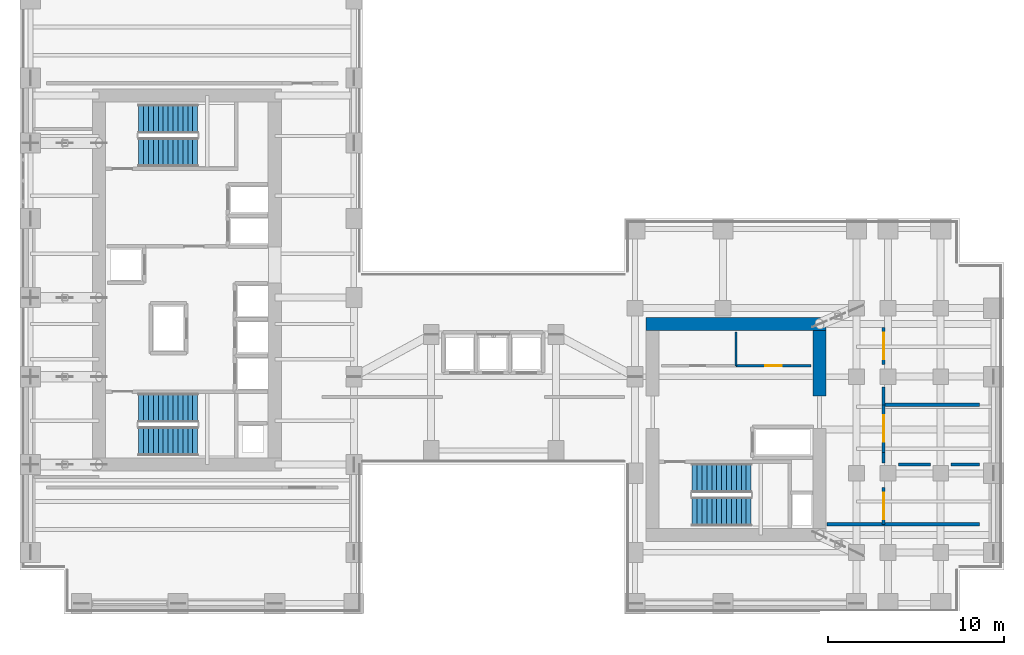
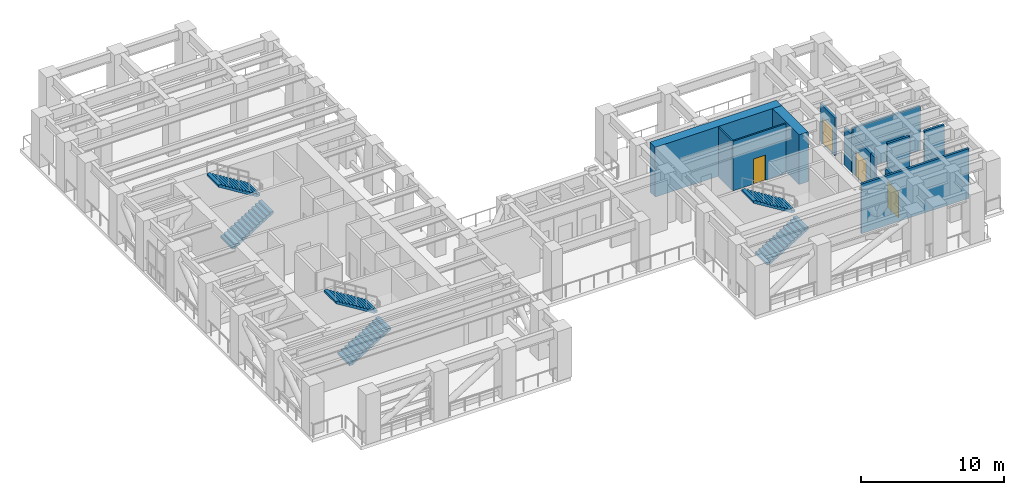
# One storey, part 11 of 16: 13 walls, 6 stair flights, 4 doors, 4 openings, 3 elements without a shape of their own.
"""IFC4 building model written with IfcOpenShell, lengths in metres."""

import ifcopenshell
import ifcopenshell.guid

model = None  # the IFC model being written
_history = None  # IfcOwnerHistory: only IFC2X3 demands one
_inside = {}  # id of a spatial element -> (the spatial element, [elements in it])
_under = {}  # id of a project, library or spatial element -> (it, [spatial elements below it])
_declared = {}  # id of a project -> (the project, [libraries it declares])
_typed = {}  # id of a type object -> (the type object, [elements of that type])
_made_of = {}  # id of a material, layer set ... -> (it, [elements and type objects made of it])


def new_model(schema):
    """Start an empty IFC model of exactly this schema.

    Asked for "IFC4X3", IfcOpenShell would pick the latest addendum, in which some entities
    have other attributes; the version numbers below select the first issue.
    IFC2X3 requires an IfcOwnerHistory on every rooted entity: one is made here for all.
    """
    global model, _history
    if schema == "IFC4X3":
        model = ifcopenshell.file(schema_version=(4, 3, 0, 0))
    else:
        model = ifcopenshell.file(schema=schema)
    _inside.clear()
    _under.clear()
    _declared.clear()
    _typed.clear()
    _made_of.clear()
    _history = None
    if model.schema == "IFC2X3":
        org = make("IfcOrganization", Name="unknown")
        user = make(
            "IfcPersonAndOrganization",
            ThePerson=make("IfcPerson", FamilyName="unknown"),
            TheOrganization=org,
        )
        app = make(
            "IfcApplication",
            ApplicationDeveloper=org,
            Version="unknown",
            ApplicationFullName="unknown",
            ApplicationIdentifier="unknown",
        )
        _history = make(
            "IfcOwnerHistory",
            OwningUser=user,
            OwningApplication=app,
            ChangeAction="ADDED",
            CreationDate=0,
        )
    return model


def make(cls, **values):
    """One entity of the class cls with the attributes given. An attribute that is None is left unset."""
    return model.create_entity(
        cls, **{name: value for name, value in values.items() if value is not None}
    )


def rooted(cls, **values):
    """An entity with a GlobalId (a new one), such as an element, a storey or a relation."""
    return make(cls, GlobalId=ifcopenshell.guid.new(), OwnerHistory=_history, **values)


def si_unit(unit_type, name, prefix=None):
    """IfcSIUnit, for example si_unit("LENGTHUNIT", "METRE", prefix="MILLI")."""
    return make("IfcSIUnit", UnitType=unit_type, Prefix=prefix, Name=name)


def assignment(units):
    """IfcUnitAssignment: the units of a project."""
    return None if units is None else make("IfcUnitAssignment", Units=units)


def point(xyz):
    """IfcCartesianPoint."""
    return None if xyz is None else make("IfcCartesianPoint", Coordinates=xyz)


def direction(xyz):
    """IfcDirection."""
    return None if xyz is None else make("IfcDirection", DirectionRatios=xyz)


def frame(location, z_axis=None, x_axis=None):
    """IfcAxis2Placement3D, a coordinate frame: its origin and axes. An axis left out is left unset."""
    return make(
        "IfcAxis2Placement3D",
        Location=point(location),
        Axis=direction(z_axis),
        RefDirection=direction(x_axis),
    )


def frame_2d(location, x_axis=None):
    """IfcAxis2Placement2D, a coordinate frame in the plane: its origin and x axis."""
    return make(
        "IfcAxis2Placement2D", Location=point(location), RefDirection=direction(x_axis)
    )


def origin():
    """The frame at (0, 0, 0) with its axes left unset."""
    return frame((0.0, 0.0, 0.0))


def place(relative_to, where):
    """IfcLocalPlacement: puts the frame where relative to a parent placement (None: the world)."""
    return make(
        "IfcLocalPlacement", PlacementRelTo=relative_to, RelativePlacement=where
    )


def context(
    kind, dimensions, precision=None, world=None, true_north=None, identifier=None
):
    """IfcGeometricRepresentationContext, for example the 3D "Model" context."""
    return make(
        "IfcGeometricRepresentationContext",
        ContextIdentifier=identifier,
        ContextType=kind,
        CoordinateSpaceDimension=dimensions,
        Precision=precision,
        WorldCoordinateSystem=world,
        TrueNorth=true_north,
    )


def subcontext(parent, identifier, kind, view, scale=None):
    """IfcGeometricRepresentationSubContext, for example "Body" below "Model"."""
    return make(
        "IfcGeometricRepresentationSubContext",
        ContextIdentifier=identifier,
        ContextType=kind,
        ParentContext=parent,
        TargetScale=scale,
        TargetView=view,
    )


def project(units=None, contexts=None):
    """IfcProject with its units and contexts."""
    return rooted(
        "IfcProject",
        Name="project",
        RepresentationContexts=contexts,
        UnitsInContext=assignment(units),
    )


def spatial(cls, under=None, at=None, **own):
    """A site, building, storey or space (cls), placed at a placement, below another one or the project."""
    s = rooted(cls, ObjectPlacement=at, **own)
    if under is not None:
        _under.setdefault(under.id(), (under, []))[1].append(s)
    return s


def polyline(points):
    """IfcPolyline through the points."""
    return make("IfcPolyline", Points=[point(p) for p in points])


def profile(cls, at=None, kind="AREA", **sizes):
    """A parametric profile (cls). Its sizes go by their IFC names, for example OverallWidth=200.0."""
    return make(cls, ProfileType=kind, Position=at, **sizes)


def rectangle(**sizes):
    """IfcRectangleProfileDef."""
    return profile("IfcRectangleProfileDef", **sizes)


def outline(outer, holes=None, kind="AREA"):
    """IfcArbitraryClosedProfileDef: a profile drawn as a closed curve; with holes, ...WithVoids."""
    if holes is None:
        return make("IfcArbitraryClosedProfileDef", ProfileType=kind, OuterCurve=outer)
    return make(
        "IfcArbitraryProfileDefWithVoids",
        ProfileType=kind,
        OuterCurve=outer,
        InnerCurves=holes,
    )


def extrude(swept, where, along, depth):
    """IfcExtrudedAreaSolid: the profile swept, set in the frame where, extruded along a direction by depth."""
    return make(
        "IfcExtrudedAreaSolid",
        SweptArea=swept,
        Position=where,
        ExtrudedDirection=direction(along),
        Depth=depth,
    )


def shape(context_of_items, identifier, shape_type, items):
    """IfcShapeRepresentation: the items that make up one representation, for example the "Body"."""
    return make(
        "IfcShapeRepresentation",
        ContextOfItems=context_of_items,
        RepresentationIdentifier=identifier,
        RepresentationType=shape_type,
        Items=items,
    )


def source(mapping_origin, context_of_items, identifier, shape_type, items):
    """IfcRepresentationMap: a shape defined once, which mapped items show again and again."""
    return make(
        "IfcRepresentationMap",
        MappingOrigin=mapping_origin,
        MappedRepresentation=shape(context_of_items, identifier, shape_type, items),
    )


def transform(
    local_origin,
    x_axis=None,
    y_axis=None,
    z_axis=None,
    scale=None,
    scale2=None,
    scale3=None,
    uniform=True,
):
    """IfcCartesianTransformationOperator3D, or its non-uniform kind. x_axis, y_axis, z_axis: its Axis1, 2, 3."""
    if uniform:
        return make(
            "IfcCartesianTransformationOperator3D",
            Axis1=direction(x_axis),
            Axis2=direction(y_axis),
            LocalOrigin=point(local_origin),
            Scale=scale,
            Axis3=direction(z_axis),
        )
    return make(
        "IfcCartesianTransformationOperator3DnonUniform",
        Axis1=direction(x_axis),
        Axis2=direction(y_axis),
        LocalOrigin=point(local_origin),
        Scale=scale,
        Axis3=direction(z_axis),
        Scale2=scale2,
        Scale3=scale3,
    )


def mapped(mapping_source, mapping_target):
    """IfcMappedItem: shows the shape of a source again, moved by a transform."""
    return make(
        "IfcMappedItem", MappingSource=mapping_source, MappingTarget=mapping_target
    )


def material(Name=None, Category=None):
    """IfcMaterial."""
    return make("IfcMaterial", Name=Name, Category=Category)


def layer(
    of_material, thickness, ventilated=None, Name=None, Category=None, Priority=None
):
    """IfcMaterialLayer: one layer of a wall or slab, of a material (None: an air gap)."""
    return make(
        "IfcMaterialLayer",
        Material=of_material,
        LayerThickness=thickness,
        IsVentilated=ventilated,
        Name=Name,
        Category=Category,
        Priority=Priority,
    )


def layer_set(layers, Name=None):
    """IfcMaterialLayerSet."""
    return make("IfcMaterialLayerSet", MaterialLayers=layers, LayerSetName=Name)


def made_of(thing, what):
    """Note that an element or type object is made of a material, layer set ...; save() writes the relation."""
    if what is not None:
        _made_of.setdefault(what.id(), (what, []))[1].append(thing)
    return thing


def type_object(cls, material=None, **own):
    """A type object (cls), such as IfcWallType, which elements share."""
    return made_of(rooted(cls, **own), material)


def element(
    cls,
    number,
    at=None,
    inside=None,
    cuts=None,
    type_object=None,
    material=None,
    context=None,
    identifier="Body",
    shape_type=None,
    held_by="IfcProductDefinitionShape",
    body=None,
    shapes=None,
    **own,
):
    """One element of the class cls, such as IfcWall. Its Tag is "e" and its number.

    at: its placement. inside: the storey or other place that contains it. cuts: it is an
    opening in that element (IfcRelVoidsElement). A single representation is given by context,
    identifier, shape_type and body (its items); several are given by shapes. held_by: the class
    of the entity that holds the representations. save() writes the other relations.
    """
    e = rooted(cls, Tag="e%d" % number, ObjectPlacement=at, **own)
    if body is not None:
        shapes = [shape(context, identifier, shape_type, body)]
    if shapes is not None:
        e.Representation = make(held_by, Representations=shapes)
    if inside is not None:
        _inside.setdefault(inside.id(), (inside, []))[1].append(e)
    if cuts is not None:
        rooted(
            "IfcRelVoidsElement", RelatingBuildingElement=cuts, RelatedOpeningElement=e
        )
    if type_object is not None:
        _typed.setdefault(type_object.id(), (type_object, []))[1].append(e)
    return made_of(e, material)


def fill(opening, filler):
    """IfcRelFillsElement: the door or window that sits in an opening."""
    return rooted(
        "IfcRelFillsElement",
        RelatingOpeningElement=opening,
        RelatedBuildingElement=filler,
    )


def aggregate(whole, parts):
    """IfcRelAggregates: a whole, such as a stair, and the parts it consists of."""
    return rooted("IfcRelAggregates", RelatingObject=whole, RelatedObjects=parts)


def save(model, path):
    """Write the relations noted so far, then the file.

    IfcRelAggregates (storeys below a building ...), IfcRelContainedInSpatialStructure (elements
    in a storey), IfcRelDefinesByType, IfcRelAssociatesMaterial and IfcRelDeclares: one each for
    every whole, place, type object, material and project.
    """
    for whole, parts in _under.values():
        aggregate(whole, parts)
    for where, things in _inside.values():
        rooted(
            "IfcRelContainedInSpatialStructure",
            RelatedElements=things,
            RelatingStructure=where,
        )
    for kind, things in _typed.values():
        rooted("IfcRelDefinesByType", RelatedObjects=things, RelatingType=kind)
    for what, things in _made_of.values():
        rooted("IfcRelAssociatesMaterial", RelatedObjects=things, RelatingMaterial=what)
    for by, libraries in _declared.values():
        rooted("IfcRelDeclares", RelatingContext=by, RelatedDefinitions=libraries)
    model.write(path)


model = new_model("IFC4")

# Units and contexts
model_context = context("Model", 3, precision=1e-05, world=origin(), true_north=direction((0.0, 1.0)))
body_context = subcontext(model_context, "Body", "Model", "MODEL_VIEW")
ifc_project = project(units=[si_unit("LENGTHUNIT", "METRE"), si_unit("AREAUNIT", "SQUARE_METRE"), si_unit("VOLUMEUNIT", "CUBIC_METRE"), si_unit("PLANEANGLEUNIT", "RADIAN"), si_unit("MASSUNIT", "GRAM", prefix="KILO")], contexts=[model_context])

# Site, building, storey
site_placement = place(None, origin())
site = spatial("IfcSite", under=ifc_project, at=site_placement, CompositionType="ELEMENT")
building_placement = place(site_placement, origin())
building = spatial("IfcBuilding", under=site, at=building_placement, Name="Kharzan Plaza Tower", CompositionType="ELEMENT")
storey_placement = place(building_placement, frame((0.0, 0.0, 138.60009765625)))
storey = spatial("IfcBuildingStorey", under=building, at=storey_placement, Name="L37", CompositionType="ELEMENT", Elevation=138.60009765625)

# Wall, opening, door
ifc_material_1 = material(Name="Concrete C40/50", Category="concrete")
ifc_layer_1 = layer(ifc_material_1, 0.179931640625)
ifc_layer_set_1 = layer_set([ifc_layer_1], Name="Concrete C40/50")
wall_type_1 = type_object("IfcWallType", Name="WL-INT-FIRE-180", PredefinedType="PARTITIONING", material=ifc_layer_set_1)
wall_1_placement = place(storey_placement, frame((49.14990234375, 9.199951171875, 0.0), z_axis=(0.0, 0.0, 1.0), x_axis=(0.0, 1.0, 0.0)))
wall_1 = element("IfcWall", 1, at=wall_1_placement, inside=storey, type_object=wall_type_1, Name="L37 Interior Partition MR-BMS", PredefinedType="PARTITIONING", context=body_context, shape_type="SweptSolid", body=[
    extrude(rectangle(XDim=2.699951171875, YDim=0.179931640625, at=frame_2d((1.35009765625, 0.0))), origin(), (0.0, 0.0, 1.0), 3.244873046875),
])
opening_1_placement = place(wall_1_placement, frame((0.60009765625, 0.0, 0.0)))
opening_1 = element("IfcOpeningElement", 2, at=opening_1_placement, cuts=wall_1, Name="Opening PD1", PredefinedType="OPENING", context=body_context, shape_type="SweptSolid", body=[
    extrude(rectangle(XDim=1.5, YDim=2.199951171875, at=frame_2d((0.75, 1.10009765625))), frame((0.0, 0.099853515625, 0.0), z_axis=(0.0, -1.0, 0.0), x_axis=(1.0, 0.0, 0.0)), (0.0, 0.0, 1.0), 0.199951171875),
])
ifc_material_2 = material(Name="Galvanized Louvred Acoustic Steel", Category="steel")
door_type_1 = type_object("IfcDoorType", Name="DR-PLANT-DBL", OperationType="DOUBLE_DOOR_SINGLE_SWING", PredefinedType="DOOR", material=ifc_material_2)
shared_shape_1 = source(origin(), body_context, "Body", "SweptSolid", [
    extrude(rectangle(XDim=1.5, YDim=2.199951171875, at=frame_2d((0.75, 1.10009765625))), frame((0.0, 0.02490234375, 0.0), z_axis=(0.0, -1.0, 0.0), x_axis=(1.0, 0.0, 0.0)), (0.0, 0.0, 1.0), 0.050048828125),
])
door_1_placement = place(opening_1_placement, origin())
door_1 = element("IfcDoor", 3, at=door_1_placement, inside=storey, type_object=door_type_1, Name="L37 BMS Controls Plant Room Door", OperationType="DOUBLE_DOOR_SINGLE_SWING", OverallHeight=2.199951171875, OverallWidth=1.5, PredefinedType="DOOR", context=body_context, shape_type="MappedRepresentation", body=[
    mapped(shared_shape_1, transform((0.0, 0.0, 0.0), x_axis=(1.0, 0.0, 0.0), y_axis=(0.0, 1.0, 0.0), z_axis=(0.0, 0.0, 1.0))),
])
fill(opening_1, door_1)

wall_2_placement = place(storey_placement, frame((49.14990234375, 5.10009765625, 0.0), z_axis=(0.0, 0.0, 1.0), x_axis=(0.0, 1.0, 0.0)))
wall_2 = element("IfcWall", 4, at=wall_2_placement, inside=storey, type_object=wall_type_1, Name="L37 Interior Partition MR-PMP", PredefinedType="PARTITIONING", context=body_context, shape_type="SweptSolid", body=[
    extrude(rectangle(XDim=2.099853515625, YDim=0.179931640625, at=frame_2d((1.0498046875, 0.0))), origin(), (0.0, 0.0, 1.0), 3.244873046875),
])
opening_2_placement = place(wall_2_placement, frame((0.300048828125, 0.0, 0.0)))
opening_2 = element("IfcOpeningElement", 5, at=opening_2_placement, cuts=wall_2, Name="Opening PD1", PredefinedType="OPENING", context=body_context, shape_type="SweptSolid", body=[
    extrude(rectangle(XDim=1.5, YDim=2.199951171875, at=frame_2d((0.75, 1.10009765625))), frame((0.0, 0.099853515625, 0.0), z_axis=(0.0, -1.0, 0.0), x_axis=(1.0, 0.0, 0.0)), (0.0, 0.0, 1.0), 0.199951171875),
])
door_2_placement = place(opening_2_placement, origin())
door_2 = element("IfcDoor", 6, at=door_2_placement, inside=storey, type_object=door_type_1, Name="L37 Booster Pump Room Door", OperationType="DOUBLE_DOOR_SINGLE_SWING", OverallHeight=2.199951171875, OverallWidth=1.5, PredefinedType="DOOR", context=body_context, shape_type="MappedRepresentation", body=[
    mapped(shared_shape_1, transform((0.0, 0.0, 0.0), x_axis=(1.0, 0.0, 0.0), y_axis=(0.0, 1.0, 0.0), z_axis=(0.0, 0.0, 1.0))),
])
fill(opening_2, door_2)

wall_3_placement = place(storey_placement, frame((49.14990234375, 14.199951171875, 0.0), z_axis=(0.0, 0.0, 1.0), x_axis=(0.0, 1.0, 0.0)))
wall_3 = element("IfcWall", 7, at=wall_3_placement, inside=storey, type_object=wall_type_1, Name="L37 Interior Partition MR-SUB", PredefinedType="PARTITIONING", context=body_context, shape_type="SweptSolid", body=[
    extrude(rectangle(XDim=2.10009765625, YDim=0.179931640625, at=frame_2d((1.050048828125, 0.0))), origin(), (0.0, 0.0, 1.0), 3.244873046875),
])
opening_3_placement = place(wall_3_placement, frame((0.300048828125, 0.0, 0.0)))
opening_3 = element("IfcOpeningElement", 8, at=opening_3_placement, cuts=wall_3, Name="Opening PD1", PredefinedType="OPENING", context=body_context, shape_type="SweptSolid", body=[
    extrude(rectangle(XDim=1.5, YDim=2.199951171875, at=frame_2d((0.75, 1.10009765625))), frame((0.0, 0.099853515625, 0.0), z_axis=(0.0, -1.0, 0.0), x_axis=(1.0, 0.0, 0.0)), (0.0, 0.0, 1.0), 0.199951171875),
])
door_3_placement = place(opening_3_placement, origin())
door_3 = element("IfcDoor", 9, at=door_3_placement, inside=storey, type_object=door_type_1, Name="L37 Transformer Plant Room Door", OperationType="DOUBLE_DOOR_SINGLE_SWING", OverallHeight=2.199951171875, OverallWidth=1.5, PredefinedType="DOOR", context=body_context, shape_type="MappedRepresentation", body=[
    mapped(shared_shape_1, transform((0.0, 0.0, 0.0), x_axis=(1.0, 0.0, 0.0), y_axis=(0.0, 1.0, 0.0), z_axis=(0.0, 0.0, 1.0))),
])
fill(opening_3, door_3)

ifc_material_3 = material(Name="Fire-Rated Gypsum Board Partition", Category="gypsum")
ifc_layer_2 = layer(ifc_material_3, 0.125)
ifc_layer_set_2 = layer_set([ifc_layer_2], Name="Fire-Rated Gypsum Board Partition")
wall_type_2 = type_object("IfcWallType", Name="WL-INT-PART-125", PredefinedType="PARTITIONING", material=ifc_layer_set_2)
wall_4_placement = place(storey_placement, frame((40.75, 14.1201171875, 0.0), z_axis=(0.0, 0.0, 1.0), x_axis=(1.0, 0.0, 0.0)))
wall_4 = element("IfcWall", 10, at=wall_4_placement, inside=storey, type_object=wall_type_2, Name="L37 Interior Partition CB-RBLS2", PredefinedType="PARTITIONING", context=body_context, shape_type="SweptSolid", body=[
    extrude(rectangle(XDim=4.27001953125, YDim=0.125, at=frame_2d((2.135009765625, 0.0))), origin(), (0.0, 0.0, 1.0), 4.244873046875),
])
opening_4_placement = place(wall_4_placement, frame((1.659912109375, 0.0, 0.0)))
opening_4 = element("IfcOpeningElement", 11, at=opening_4_placement, cuts=wall_4, Name="Opening OD1", PredefinedType="OPENING", context=body_context, shape_type="SweptSolid", body=[
    extrude(rectangle(XDim=0.949951171875, YDim=2.14990234375, at=frame_2d((0.47509765625, 1.074951171875))), frame((0.0, 0.072509765625, 0.0), z_axis=(0.0, -1.0, 0.0), x_axis=(1.0, 0.0, 0.0)), (0.0, 0.0, 1.0), 0.14501953125),
])
ifc_material_4 = material(Name="Acoustic Solid-Core Stained Oak", Category="timber")
door_type_2 = type_object("IfcDoorType", Name="DR-OFF-SINGLE", OperationType="NOTDEFINED", PredefinedType="DOOR", material=ifc_material_4)
shared_shape_2 = source(origin(), body_context, "Body", "SweptSolid", [
    extrude(rectangle(XDim=0.949951171875, YDim=2.14990234375, at=frame_2d((0.47509765625, 1.074951171875))), frame((0.0, 0.02490234375, 0.0), z_axis=(0.0, -1.0, 0.0), x_axis=(1.0, 0.0, 0.0)), (0.0, 0.0, 1.0), 0.050048828125),
])
door_4_placement = place(opening_4_placement, origin())
door_4 = element("IfcDoor", 12, at=door_4_placement, inside=storey, type_object=door_type_2, Name="L37 Print Room Door", OperationType="SINGLE_SWING_LEFT", OverallHeight=2.14990234375, OverallWidth=0.949951171875, PredefinedType="DOOR", context=body_context, shape_type="MappedRepresentation", body=[
    mapped(shared_shape_2, transform((0.0, 0.0, 0.0), x_axis=(1.0, 0.0, 0.0), y_axis=(0.0, 1.0, 0.0), z_axis=(0.0, 0.0, 1.0))),
])
fill(opening_4, door_4)

# Walls
ifc_material_5 = material(Name="Concrete C60/75", Category="concrete")
ifc_layer_3 = layer(ifc_material_5, 0.75)
ifc_layer_set_3 = layer_set([ifc_layer_3], Name="Concrete C60/75")
wall_type_3 = type_object("IfcWallType", Name="WL-CORE-750", PredefinedType="SHEAR", material=ifc_layer_set_3)
shared_shape_3 = source(origin(), body_context, "Body", "SweptSolid", [
    extrude(rectangle(XDim=3.72509765625, YDim=0.75, at=frame_2d((1.862548828125, 0.0))), origin(), (0.0, 0.0, 1.0), 4.260009765625),
])
wall_5_placement = place(storey_placement, frame((45.5, 12.39990234375, 0.0), z_axis=(0.0, 0.0, 1.0), x_axis=(0.0, 1.0, 0.0)))
element("IfcWall", 13, at=wall_5_placement, inside=storey, type_object=wall_type_3, Name="L37 CORE-B east shear pier 2", PredefinedType="SHEAR", context=body_context, shape_type="MappedRepresentation", body=[
    mapped(shared_shape_3, transform((0.0, 0.0, 0.0), x_axis=(1.0, 0.0, 0.0), y_axis=(0.0, 1.0, 0.0), z_axis=(0.0, 0.0, 1.0))),
])
shared_shape_4 = source(origin(), body_context, "Body", "SweptSolid", [
    extrude(rectangle(XDim=10.25, YDim=0.75, at=frame_2d((5.125, 0.0))), origin(), (0.0, 0.0, 1.0), 4.260009765625),
])
wall_6_placement = place(storey_placement, frame((35.625, 16.5, 0.0), z_axis=(0.0, 0.0, 1.0), x_axis=(1.0, 0.0, 0.0)))
element("IfcWall", 14, at=wall_6_placement, inside=storey, type_object=wall_type_3, Name="L37 CORE-B north RC shear wall", PredefinedType="SHEAR", context=body_context, shape_type="MappedRepresentation", body=[
    mapped(shared_shape_4, transform((0.0, 0.0, 0.0), x_axis=(1.0, 0.0, 0.0), y_axis=(0.0, 1.0, 0.0), z_axis=(0.0, 0.0, 1.0))),
])
shared_shape_5 = source(origin(), body_context, "Body", "SweptSolid", [
    extrude(rectangle(XDim=5.4501953125, YDim=0.179931640625, at=frame_2d((2.72509765625, 0.0))), origin(), (0.0, 0.0, 1.0), 3.77587890625),
])
wall_7_placement = place(storey_placement, frame((49.14990234375, 11.89990234375, 0.0), z_axis=(0.0, 0.0, 1.0), x_axis=(1.0, 0.0, 0.0)))
element("IfcWall", 15, at=wall_7_placement, inside=storey, type_object=wall_type_1, Name="L37 Interior Partition MR-BMSM", PredefinedType="PARTITIONING", context=body_context, shape_type="MappedRepresentation", body=[
    mapped(shared_shape_5, transform((0.0, 0.0, 0.0), x_axis=(1.0, 0.0, 0.0), y_axis=(0.0, 1.0, 0.0), z_axis=(0.0, 0.0, 1.0))),
])
shared_shape_6 = source(origin(), body_context, "Body", "SweptSolid", [
    extrude(rectangle(XDim=8.68017578125, YDim=0.179931640625, at=frame_2d((4.340087890625, 0.0))), origin(), (0.0, 0.0, 1.0), 4.244873046875),
])
wall_8_placement = place(storey_placement, frame((45.919921875, 5.10009765625, 0.0), z_axis=(0.0, 0.0, 1.0), x_axis=(1.0, 0.0, 0.0)))
element("IfcWall", 16, at=wall_8_placement, inside=storey, type_object=wall_type_1, Name="L37 Interior Partition MR-OTBE", PredefinedType="PARTITIONING", context=body_context, shape_type="MappedRepresentation", body=[
    mapped(shared_shape_6, transform((0.0, 0.0, 0.0), x_axis=(1.0, 0.0, 0.0), y_axis=(0.0, 1.0, 0.0), z_axis=(0.0, 0.0, 1.0))),
])
shared_shape_7 = source(origin(), body_context, "Body", "SweptSolid", [
    extrude(rectangle(XDim=1.820068359375, YDim=0.179931640625, at=frame_2d((0.91015625, 0.0))), origin(), (0.0, 0.0, 1.0), 4.244873046875),
])
wall_9_placement = place(storey_placement, frame((49.989990234375, 8.5, 0.0), z_axis=(0.0, 0.0, 1.0), x_axis=(1.0, 0.0, 0.0)))
element("IfcWall", 17, at=wall_9_placement, inside=storey, type_object=wall_type_1, Name="L37 Interior Partition MR-PMPM-S1", PredefinedType="PARTITIONING", context=body_context, shape_type="MappedRepresentation", body=[
    mapped(shared_shape_7, transform((0.0, 0.0, 0.0), x_axis=(1.0, 0.0, 0.0), y_axis=(0.0, 1.0, 0.0), z_axis=(0.0, 0.0, 1.0))),
])
shared_shape_8 = source(origin(), body_context, "Body", "SweptSolid", [
    extrude(rectangle(XDim=1.610107421875, YDim=0.179931640625, at=frame_2d((0.80517578125, 0.0))), origin(), (0.0, 0.0, 1.0), 4.244873046875),
])
wall_10_placement = place(storey_placement, frame((52.989990234375, 8.5, 0.0), z_axis=(0.0, 0.0, 1.0), x_axis=(1.0, 0.0, 0.0)))
element("IfcWall", 18, at=wall_10_placement, inside=storey, type_object=wall_type_1, Name="L37 Interior Partition MR-PMPM-S2", PredefinedType="PARTITIONING", context=body_context, shape_type="MappedRepresentation", body=[
    mapped(shared_shape_8, transform((0.0, 0.0, 0.0), x_axis=(1.0, 0.0, 0.0), y_axis=(0.0, 1.0, 0.0), z_axis=(0.0, 0.0, 1.0))),
])
shared_shape_9 = source(origin(), body_context, "Body", "SweptSolid", [
    extrude(rectangle(XDim=0.60986328125, YDim=0.179931640625, at=frame_2d((0.304931640625, 0.0))), origin(), (0.0, 0.0, 1.0), 3.244873046875),
])
wall_11_placement = place(storey_placement, frame((49.14990234375, 8.590087890625, 0.0), z_axis=(0.0, 0.0, 1.0), x_axis=(0.0, 1.0, 0.0)))
element("IfcWall", 19, at=wall_11_placement, inside=storey, type_object=wall_type_1, Name="L37 Interior Partition MR-PMPN", PredefinedType="PARTITIONING", context=body_context, shape_type="MappedRepresentation", body=[
    mapped(shared_shape_9, transform((0.0, 0.0, 0.0), x_axis=(1.0, 0.0, 0.0), y_axis=(0.0, 1.0, 0.0), z_axis=(0.0, 0.0, 1.0))),
])
shared_shape_10 = source(origin(), body_context, "Body", "SweptSolid", [
    extrude(rectangle(XDim=1.010009765625, YDim=0.179931640625, at=frame_2d((0.5048828125, 0.0))), origin(), (0.0, 0.0, 1.0), 3.244873046875),
])
wall_12_placement = place(storey_placement, frame((49.14990234375, 11.89990234375, 0.0), z_axis=(0.0, 0.0, 1.0), x_axis=(0.0, 1.0, 0.0)))
element("IfcWall", 20, at=wall_12_placement, inside=storey, type_object=wall_type_1, Name="L37 Interior Partition MR-SUBS", PredefinedType="PARTITIONING", context=body_context, shape_type="MappedRepresentation", body=[
    mapped(shared_shape_10, transform((0.0, 0.0, 0.0), x_axis=(1.0, 0.0, 0.0), y_axis=(0.0, 1.0, 0.0), z_axis=(0.0, 0.0, 1.0))),
])
shared_shape_11 = source(origin(), body_context, "Body", "SweptSolid", [
    extrude(rectangle(XDim=1.929931640625, YDim=0.125, at=frame_2d((0.96484375, 0.0))), origin(), (0.0, 0.0, 1.0), 4.244873046875),
])
wall_13_placement = place(storey_placement, frame((40.75, 14.1201171875, 0.0), z_axis=(0.0, 0.0, 1.0), x_axis=(0.0, 1.0, 0.0)))
element("IfcWall", 21, at=wall_13_placement, inside=storey, type_object=wall_type_2, Name="L37 Interior Partition CB-RBLM1", PredefinedType="PARTITIONING", context=body_context, shape_type="MappedRepresentation", body=[
    mapped(shared_shape_11, transform((0.0, 0.0, 0.0), x_axis=(1.0, 0.0, 0.0), y_axis=(0.0, 1.0, 0.0), z_axis=(0.0, 0.0, 1.0))),
])

# Stair, stair flights
stair_type_1 = type_object("IfcStairType", Name="STR-ST-1", PredefinedType="HALF_TURN_STAIR", material=ifc_material_1)
stair_1_placement = place(storey_placement, origin())
stair_1 = element("IfcStair", 22, at=stair_1_placement, inside=storey, type_object=stair_type_1, Name="L37 Protected Exit Stair ST-1", PredefinedType="HALF_TURN_STAIR")
stair_flight_type = type_object("IfcStairFlightType", Name="SFL-1650-R173", PredefinedType="STRAIGHT", material=ifc_material_1)
shared_shape_12 = source(origin(), body_context, "Body", "SweptSolid", [
    extrude(outline(polyline([(-0.0029296875, -0.011962890625), (-0.0029296875, 0.0), (0.0, 0.0), (0.0, 0.173095703125), (0.280029296875, 0.173095703125), (0.280029296875, 0.34619140625), (0.56005859375, 0.34619140625), (0.56005859375, 0.519287109375), (0.840087890625, 0.519287109375), (0.840087890625, 0.6923828125), (1.1201171875, 0.6923828125), (1.1201171875, 0.865478515625), (1.400146484375, 0.865478515625), (1.400146484375, 1.03857421875), (1.68017578125, 1.03857421875), (1.68017578125, 1.211669921875), (1.960205078125, 1.211669921875), (1.960205078125, 1.384765625), (2.240234375, 1.384765625), (2.240234375, 1.557861328125), (2.520263671875, 1.557861328125), (2.520263671875, 1.73095703125), (2.80029296875, 1.73095703125), (2.80029296875, 1.904052734375), (3.080322265625, 1.904052734375), (3.080322265625, 2.0771484375), (3.3603515625, 2.0771484375), (3.3603515625, 2.250244140625), (3.3603515625, 1.90087890625), (0.28515625, 0.0), (0.28515625, -0.011962890625), (-0.0029296875, -0.011962890625)])), frame((0.0, 0.824951171875, 0.0), z_axis=(0.0, -1.0, 0.0), x_axis=(1.0, 0.0, 0.0)), (0.0, 0.0, 1.0), 1.64990234375),
])
stair_flight_1_placement = place(storey_placement, frame((6.75, 9.824951171875, 0.0), z_axis=(0.0, 0.0, 1.0), x_axis=(1.0, 0.0, 0.0)))
stair_flight_1 = element("IfcStairFlight", 23, at=stair_flight_1_placement, type_object=stair_flight_type, Name="ST-1 flight 1", NumberOfRisers=13, NumberOfTreads=12, PredefinedType="STRAIGHT", RiserHeight=0.173076923, TreadLength=0.28, context=body_context, shape_type="MappedRepresentation", body=[
    mapped(shared_shape_12, transform((0.0, 0.0, 0.0), x_axis=(1.0, 0.0, 0.0), y_axis=(0.0, 1.0, 0.0), z_axis=(0.0, 0.0, 1.0))),
])
stair_flight_2_placement = place(storey_placement, frame((10.110107421875, 11.72509765625, 2.25), z_axis=(0.0, 0.0, 1.0), x_axis=(-1.0, 0.0, 0.0)))
stair_flight_2 = element("IfcStairFlight", 24, at=stair_flight_2_placement, type_object=stair_flight_type, Name="ST-1 flight 2", NumberOfRisers=13, NumberOfTreads=12, PredefinedType="STRAIGHT", RiserHeight=0.173076923, TreadLength=0.28, context=body_context, shape_type="MappedRepresentation", body=[
    mapped(shared_shape_12, transform((0.0, 0.0, 0.0), x_axis=(1.0, 0.0, 0.0), y_axis=(0.0, 1.0, 0.0), z_axis=(0.0, 0.0, 1.0))),
])
aggregate(stair_1, [stair_flight_1, stair_flight_2])

stair_type_2 = type_object("IfcStairType", Name="STR-ST-2", PredefinedType="HALF_TURN_STAIR", material=ifc_material_1)
stair_2_placement = place(storey_placement, origin())
stair_2 = element("IfcStair", 25, at=stair_2_placement, inside=storey, type_object=stair_type_2, Name="L37 Protected Exit Stair ST-2", PredefinedType="HALF_TURN_STAIR")
stair_flight_3_placement = place(storey_placement, frame((6.75, 26.27490234375, 0.0), z_axis=(0.0, 0.0, 1.0), x_axis=(1.0, 0.0, 0.0)))
stair_flight_3 = element("IfcStairFlight", 26, at=stair_flight_3_placement, type_object=stair_flight_type, Name="ST-2 flight 1", NumberOfRisers=13, NumberOfTreads=12, PredefinedType="STRAIGHT", RiserHeight=0.173076923, TreadLength=0.28, context=body_context, shape_type="MappedRepresentation", body=[
    mapped(shared_shape_12, transform((0.0, 0.0, 0.0), x_axis=(1.0, 0.0, 0.0), y_axis=(0.0, 1.0, 0.0), z_axis=(0.0, 0.0, 1.0))),
])
stair_flight_4_placement = place(storey_placement, frame((10.110107421875, 28.175048828125, 2.25), z_axis=(0.0, 0.0, 1.0), x_axis=(-1.0, 0.0, 0.0)))
stair_flight_4 = element("IfcStairFlight", 27, at=stair_flight_4_placement, type_object=stair_flight_type, Name="ST-2 flight 2", NumberOfRisers=13, NumberOfTreads=12, PredefinedType="STRAIGHT", RiserHeight=0.173076923, TreadLength=0.28, context=body_context, shape_type="MappedRepresentation", body=[
    mapped(shared_shape_12, transform((0.0, 0.0, 0.0), x_axis=(1.0, 0.0, 0.0), y_axis=(0.0, 1.0, 0.0), z_axis=(0.0, 0.0, 1.0))),
])
aggregate(stair_2, [stair_flight_3, stair_flight_4])

stair_type_3 = type_object("IfcStairType", Name="STR-ST-3", PredefinedType="HALF_TURN_STAIR", material=ifc_material_1)
stair_3_placement = place(storey_placement, origin())
stair_3 = element("IfcStair", 28, at=stair_3_placement, inside=storey, type_object=stair_type_3, Name="L37 Protected Exit Stair ST-3", PredefinedType="HALF_TURN_STAIR")
stair_flight_5_placement = place(storey_placement, frame((38.25, 5.824951171875, 0.0), z_axis=(0.0, 0.0, 1.0), x_axis=(1.0, 0.0, 0.0)))
stair_flight_5 = element("IfcStairFlight", 29, at=stair_flight_5_placement, type_object=stair_flight_type, Name="ST-3 flight 1", NumberOfRisers=13, NumberOfTreads=12, PredefinedType="STRAIGHT", RiserHeight=0.173076923, TreadLength=0.28, context=body_context, shape_type="MappedRepresentation", body=[
    mapped(shared_shape_12, transform((0.0, 0.0, 0.0), x_axis=(1.0, 0.0, 0.0), y_axis=(0.0, 1.0, 0.0), z_axis=(0.0, 0.0, 1.0))),
])
stair_flight_6_placement = place(storey_placement, frame((41.610107421875, 7.72509765625, 2.25), z_axis=(0.0, 0.0, 1.0), x_axis=(-1.0, 0.0, 0.0)))
stair_flight_6 = element("IfcStairFlight", 30, at=stair_flight_6_placement, type_object=stair_flight_type, Name="ST-3 flight 2", NumberOfRisers=13, NumberOfTreads=12, PredefinedType="STRAIGHT", RiserHeight=0.173076923, TreadLength=0.28, context=body_context, shape_type="MappedRepresentation", body=[
    mapped(shared_shape_12, transform((0.0, 0.0, 0.0), x_axis=(1.0, 0.0, 0.0), y_axis=(0.0, 1.0, 0.0), z_axis=(0.0, 0.0, 1.0))),
])
aggregate(stair_3, [stair_flight_5, stair_flight_6])

save(model, "model.ifc")
